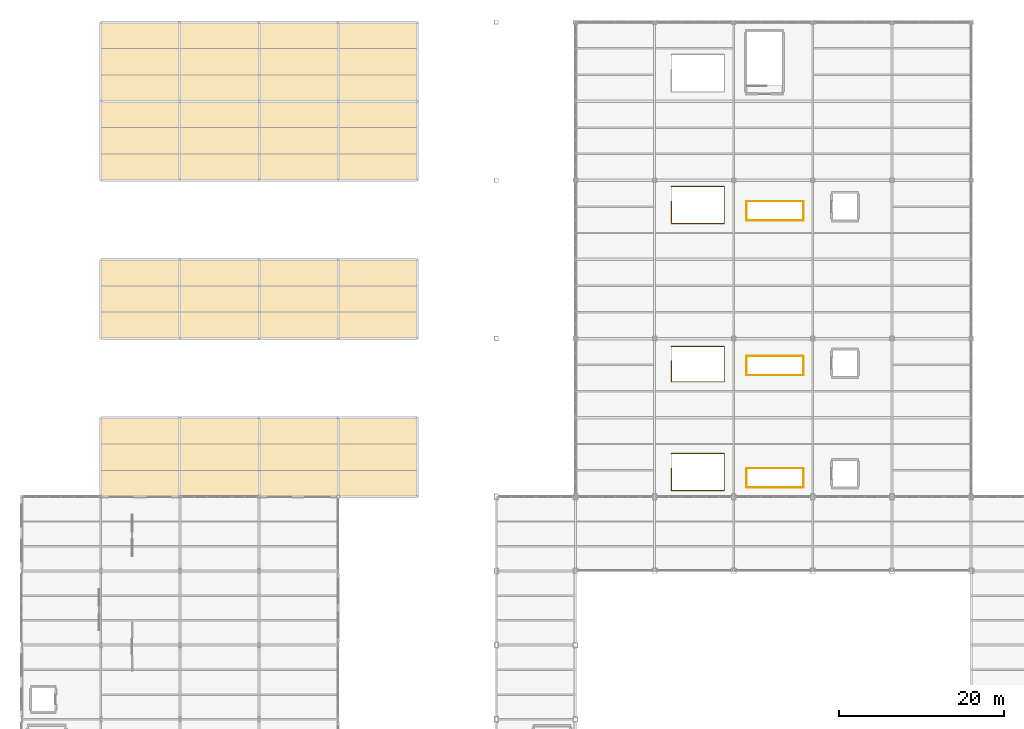
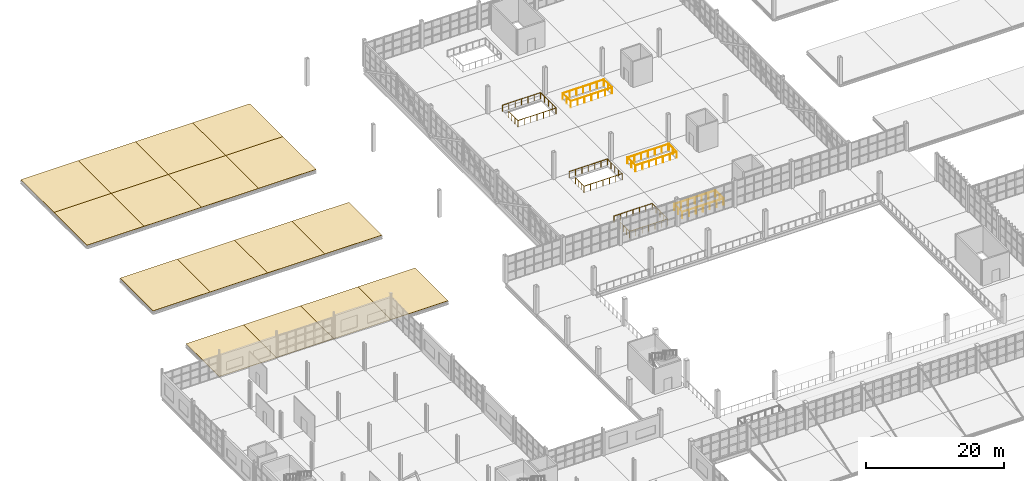
# One storey, part 119 of 120: 16 coverings, 9 railings, 1 element without a shape of its own.
"""IFC4 building model written with IfcOpenShell, lengths in metres."""

import ifcopenshell
import ifcopenshell.guid

model = None  # the IFC model being written
_history = None  # IfcOwnerHistory: only IFC2X3 demands one
_inside = {}  # id of a spatial element -> (the spatial element, [elements in it])
_under = {}  # id of a project, library or spatial element -> (it, [spatial elements below it])
_declared = {}  # id of a project -> (the project, [libraries it declares])
_typed = {}  # id of a type object -> (the type object, [elements of that type])
_made_of = {}  # id of a material, layer set ... -> (it, [elements and type objects made of it])


def new_model(schema):
    """Start an empty IFC model of exactly this schema.

    Asked for "IFC4X3", IfcOpenShell would pick the latest addendum, in which some entities
    have other attributes; the version numbers below select the first issue.
    IFC2X3 requires an IfcOwnerHistory on every rooted entity: one is made here for all.
    """
    global model, _history
    if schema == "IFC4X3":
        model = ifcopenshell.file(schema_version=(4, 3, 0, 0))
    else:
        model = ifcopenshell.file(schema=schema)
    _inside.clear()
    _under.clear()
    _declared.clear()
    _typed.clear()
    _made_of.clear()
    _history = None
    if model.schema == "IFC2X3":
        org = make("IfcOrganization", Name="unknown")
        user = make(
            "IfcPersonAndOrganization",
            ThePerson=make("IfcPerson", FamilyName="unknown"),
            TheOrganization=org,
        )
        app = make(
            "IfcApplication",
            ApplicationDeveloper=org,
            Version="unknown",
            ApplicationFullName="unknown",
            ApplicationIdentifier="unknown",
        )
        _history = make(
            "IfcOwnerHistory",
            OwningUser=user,
            OwningApplication=app,
            ChangeAction="ADDED",
            CreationDate=0,
        )
    return model


def make(cls, **values):
    """One entity of the class cls with the attributes given. An attribute that is None is left unset."""
    return model.create_entity(
        cls, **{name: value for name, value in values.items() if value is not None}
    )


def rooted(cls, **values):
    """An entity with a GlobalId (a new one), such as an element, a storey or a relation."""
    return make(cls, GlobalId=ifcopenshell.guid.new(), OwnerHistory=_history, **values)


def si_unit(unit_type, name, prefix=None):
    """IfcSIUnit, for example si_unit("LENGTHUNIT", "METRE", prefix="MILLI")."""
    return make("IfcSIUnit", UnitType=unit_type, Prefix=prefix, Name=name)


def assignment(units):
    """IfcUnitAssignment: the units of a project."""
    return None if units is None else make("IfcUnitAssignment", Units=units)


def point(xyz):
    """IfcCartesianPoint."""
    return None if xyz is None else make("IfcCartesianPoint", Coordinates=xyz)


def direction(xyz):
    """IfcDirection."""
    return None if xyz is None else make("IfcDirection", DirectionRatios=xyz)


def frame(location, z_axis=None, x_axis=None):
    """IfcAxis2Placement3D, a coordinate frame: its origin and axes. An axis left out is left unset."""
    return make(
        "IfcAxis2Placement3D",
        Location=point(location),
        Axis=direction(z_axis),
        RefDirection=direction(x_axis),
    )


def frame_2d(location, x_axis=None):
    """IfcAxis2Placement2D, a coordinate frame in the plane: its origin and x axis."""
    return make(
        "IfcAxis2Placement2D", Location=point(location), RefDirection=direction(x_axis)
    )


def origin():
    """The frame at (0, 0, 0) with its axes left unset."""
    return frame((0.0, 0.0, 0.0))


def origin_2d():
    """The frame at (0, 0) in the plane with its x axis left unset."""
    return frame_2d((0.0, 0.0))


def place(relative_to, where):
    """IfcLocalPlacement: puts the frame where relative to a parent placement (None: the world)."""
    return make(
        "IfcLocalPlacement", PlacementRelTo=relative_to, RelativePlacement=where
    )


def context(
    kind, dimensions, precision=None, world=None, true_north=None, identifier=None
):
    """IfcGeometricRepresentationContext, for example the 3D "Model" context."""
    return make(
        "IfcGeometricRepresentationContext",
        ContextIdentifier=identifier,
        ContextType=kind,
        CoordinateSpaceDimension=dimensions,
        Precision=precision,
        WorldCoordinateSystem=world,
        TrueNorth=true_north,
    )


def subcontext(parent, identifier, kind, view, scale=None):
    """IfcGeometricRepresentationSubContext, for example "Body" below "Model"."""
    return make(
        "IfcGeometricRepresentationSubContext",
        ContextIdentifier=identifier,
        ContextType=kind,
        ParentContext=parent,
        TargetScale=scale,
        TargetView=view,
    )


def project(units=None, contexts=None):
    """IfcProject with its units and contexts."""
    return rooted(
        "IfcProject",
        Name="project",
        RepresentationContexts=contexts,
        UnitsInContext=assignment(units),
    )


def spatial(cls, under=None, at=None, **own):
    """A site, building, storey or space (cls), placed at a placement, below another one or the project."""
    s = rooted(cls, ObjectPlacement=at, **own)
    if under is not None:
        _under.setdefault(under.id(), (under, []))[1].append(s)
    return s


def polyline(points):
    """IfcPolyline through the points."""
    return make("IfcPolyline", Points=[point(p) for p in points])


def profile(cls, at=None, kind="AREA", **sizes):
    """A parametric profile (cls). Its sizes go by their IFC names, for example OverallWidth=200.0."""
    return make(cls, ProfileType=kind, Position=at, **sizes)


def circle(**sizes):
    """IfcCircleProfileDef."""
    return profile("IfcCircleProfileDef", **sizes)


def outline(outer, holes=None, kind="AREA"):
    """IfcArbitraryClosedProfileDef: a profile drawn as a closed curve; with holes, ...WithVoids."""
    if holes is None:
        return make("IfcArbitraryClosedProfileDef", ProfileType=kind, OuterCurve=outer)
    return make(
        "IfcArbitraryProfileDefWithVoids",
        ProfileType=kind,
        OuterCurve=outer,
        InnerCurves=holes,
    )


def extrude(swept, where, along, depth):
    """IfcExtrudedAreaSolid: the profile swept, set in the frame where, extruded along a direction by depth."""
    return make(
        "IfcExtrudedAreaSolid",
        SweptArea=swept,
        Position=where,
        ExtrudedDirection=direction(along),
        Depth=depth,
    )


def shape(context_of_items, identifier, shape_type, items):
    """IfcShapeRepresentation: the items that make up one representation, for example the "Body"."""
    return make(
        "IfcShapeRepresentation",
        ContextOfItems=context_of_items,
        RepresentationIdentifier=identifier,
        RepresentationType=shape_type,
        Items=items,
    )


def material(Name=None, Category=None):
    """IfcMaterial."""
    return make("IfcMaterial", Name=Name, Category=Category)


def layer(
    of_material, thickness, ventilated=None, Name=None, Category=None, Priority=None
):
    """IfcMaterialLayer: one layer of a wall or slab, of a material (None: an air gap)."""
    return make(
        "IfcMaterialLayer",
        Material=of_material,
        LayerThickness=thickness,
        IsVentilated=ventilated,
        Name=Name,
        Category=Category,
        Priority=Priority,
    )


def layer_set(layers, Name=None):
    """IfcMaterialLayerSet."""
    return make("IfcMaterialLayerSet", MaterialLayers=layers, LayerSetName=Name)


def made_of(thing, what):
    """Note that an element or type object is made of a material, layer set ...; save() writes the relation."""
    if what is not None:
        _made_of.setdefault(what.id(), (what, []))[1].append(thing)
    return thing


def type_object(cls, material=None, **own):
    """A type object (cls), such as IfcWallType, which elements share."""
    return made_of(rooted(cls, **own), material)


def element(
    cls,
    number,
    at=None,
    inside=None,
    cuts=None,
    type_object=None,
    material=None,
    context=None,
    identifier="Body",
    shape_type=None,
    held_by="IfcProductDefinitionShape",
    body=None,
    shapes=None,
    **own,
):
    """One element of the class cls, such as IfcWall. Its Tag is "e" and its number.

    at: its placement. inside: the storey or other place that contains it. cuts: it is an
    opening in that element (IfcRelVoidsElement). A single representation is given by context,
    identifier, shape_type and body (its items); several are given by shapes. held_by: the class
    of the entity that holds the representations. save() writes the other relations.
    """
    e = rooted(cls, Tag="e%d" % number, ObjectPlacement=at, **own)
    if body is not None:
        shapes = [shape(context, identifier, shape_type, body)]
    if shapes is not None:
        e.Representation = make(held_by, Representations=shapes)
    if inside is not None:
        _inside.setdefault(inside.id(), (inside, []))[1].append(e)
    if cuts is not None:
        rooted(
            "IfcRelVoidsElement", RelatingBuildingElement=cuts, RelatedOpeningElement=e
        )
    if type_object is not None:
        _typed.setdefault(type_object.id(), (type_object, []))[1].append(e)
    return made_of(e, material)


def aggregate(whole, parts):
    """IfcRelAggregates: a whole, such as a stair, and the parts it consists of."""
    return rooted("IfcRelAggregates", RelatingObject=whole, RelatedObjects=parts)


def save(model, path):
    """Write the relations noted so far, then the file.

    IfcRelAggregates (storeys below a building ...), IfcRelContainedInSpatialStructure (elements
    in a storey), IfcRelDefinesByType, IfcRelAssociatesMaterial and IfcRelDeclares: one each for
    every whole, place, type object, material and project.
    """
    for whole, parts in _under.values():
        aggregate(whole, parts)
    for where, things in _inside.values():
        rooted(
            "IfcRelContainedInSpatialStructure",
            RelatedElements=things,
            RelatingStructure=where,
        )
    for kind, things in _typed.values():
        rooted("IfcRelDefinesByType", RelatedObjects=things, RelatingType=kind)
    for what, things in _made_of.values():
        rooted("IfcRelAssociatesMaterial", RelatedObjects=things, RelatingMaterial=what)
    for by, libraries in _declared.values():
        rooted("IfcRelDeclares", RelatingContext=by, RelatedDefinitions=libraries)
    model.write(path)


model = new_model("IFC4")

# Units and contexts
model_context = context("Model", 3, precision=1e-05, world=origin(), true_north=direction((0.0, 1.0)))
body_context = subcontext(model_context, "Body", "Model", "MODEL_VIEW")
ifc_project = project(units=[si_unit("LENGTHUNIT", "METRE"), si_unit("AREAUNIT", "SQUARE_METRE"), si_unit("VOLUMEUNIT", "CUBIC_METRE"), si_unit("PLANEANGLEUNIT", "RADIAN"), si_unit("MASSUNIT", "GRAM", prefix="KILO")], contexts=[model_context])

# Site, building, storey
site_placement = place(None, origin())
site = spatial("IfcSite", under=ifc_project, at=site_placement, CompositionType="ELEMENT")
building_placement = place(site_placement, origin())
building = spatial("IfcBuilding", under=site, at=building_placement, Name="Zarnetskaya Central Station", CompositionType="ELEMENT")
storey_placement = place(building_placement, frame((0.0, 0.0, 5.39990234375)))
storey = spatial("IfcBuildingStorey", under=building, at=storey_placement, Name="L01", CompositionType="ELEMENT", Elevation=5.39990234375)

# Roof, coverings
ifc_material_1 = material(Name="Concrete C30/37", Category="concrete")
roof_type = type_object("IfcRoofType", Name="RF-ASSY-FLAT", PredefinedType="FLAT_ROOF", material=ifc_material_1)
roof_placement = place(storey_placement, origin())
roof = element("IfcRoof", 1, at=roof_placement, inside=storey, type_object=roof_type, Name="Passenger platform flat canopies", PredefinedType="FLAT_ROOF")
ifc_material_2 = material(Name="Standing-seam zinc roof cladding")
ifc_layer = layer(ifc_material_2, 0.06494140625, Name="Standing-seam zinc roof cladding")
ifc_layer_set = layer_set([ifc_layer], Name="Standing-seam zinc roof cladding")
covering_type = type_object("IfcCoveringType", Name="COV-ZINC-ROOF", PredefinedType="ROOFING", material=ifc_layer_set)
covering_1_placement = place(storey_placement, origin())
covering_1 = element("IfcCovering", 2, at=covering_1_placement, type_object=covering_type, Name="Platform canopy standing-seam roofing 9-10 B-C", PredefinedType="ROOFING", context=body_context, shape_type="SweptSolid", body=[
    extrude(outline(polyline([(9.60009765625, 67.199951171875), (19.199951171875, 67.199951171875), (19.199951171875, 76.800048828125), (9.60009765625, 76.800048828125), (9.60009765625, 67.199951171875)])), origin(), (0.0, 0.0, 1.0), 0.065185546875),
])
covering_2_placement = place(storey_placement, origin())
covering_2 = element("IfcCovering", 3, at=covering_2_placement, type_object=covering_type, Name="Platform canopy standing-seam roofing 11-12 B-C", PredefinedType="ROOFING", context=body_context, shape_type="SweptSolid", body=[
    extrude(outline(polyline([(9.60009765625, 86.39990234375), (19.199951171875, 86.39990234375), (19.199951171875, 96.0), (9.60009765625, 96.0), (9.60009765625, 86.39990234375)])), origin(), (0.0, 0.0, 1.0), 0.065185546875),
])
covering_3_placement = place(storey_placement, origin())
covering_3 = element("IfcCovering", 4, at=covering_3_placement, type_object=covering_type, Name="Platform canopy standing-seam roofing 13-14 B-C", PredefinedType="ROOFING", context=body_context, shape_type="SweptSolid", body=[
    extrude(outline(polyline([(9.60009765625, 105.60009765625), (19.199951171875, 105.60009765625), (19.199951171875, 115.199951171875), (9.60009765625, 115.199951171875), (9.60009765625, 105.60009765625)])), origin(), (0.0, 0.0, 1.0), 0.065185546875),
])
covering_4_placement = place(storey_placement, origin())
covering_4 = element("IfcCovering", 5, at=covering_4_placement, type_object=covering_type, Name="Platform canopy standing-seam roofing 14-15 B-C", PredefinedType="ROOFING", context=body_context, shape_type="SweptSolid", body=[
    extrude(outline(polyline([(9.60009765625, 115.199951171875), (19.199951171875, 115.199951171875), (19.199951171875, 124.800048828125), (9.60009765625, 124.800048828125), (9.60009765625, 115.199951171875)])), origin(), (0.0, 0.0, 1.0), 0.065185546875),
])
covering_5_placement = place(storey_placement, origin())
covering_5 = element("IfcCovering", 6, at=covering_5_placement, type_object=covering_type, Name="Platform canopy standing-seam roofing 9-10 C-D", PredefinedType="ROOFING", context=body_context, shape_type="SweptSolid", body=[
    extrude(outline(polyline([(19.199951171875, 67.199951171875), (28.800048828125, 67.199951171875), (28.800048828125, 76.800048828125), (19.199951171875, 76.800048828125), (19.199951171875, 67.199951171875)])), origin(), (0.0, 0.0, 1.0), 0.065185546875),
])
covering_6_placement = place(storey_placement, origin())
covering_6 = element("IfcCovering", 7, at=covering_6_placement, type_object=covering_type, Name="Platform canopy standing-seam roofing 11-12 C-D", PredefinedType="ROOFING", context=body_context, shape_type="SweptSolid", body=[
    extrude(outline(polyline([(19.199951171875, 86.39990234375), (28.800048828125, 86.39990234375), (28.800048828125, 96.0), (19.199951171875, 96.0), (19.199951171875, 86.39990234375)])), origin(), (0.0, 0.0, 1.0), 0.065185546875),
])
covering_7_placement = place(storey_placement, origin())
covering_7 = element("IfcCovering", 8, at=covering_7_placement, type_object=covering_type, Name="Platform canopy standing-seam roofing 13-14 C-D", PredefinedType="ROOFING", context=body_context, shape_type="SweptSolid", body=[
    extrude(outline(polyline([(19.199951171875, 105.60009765625), (28.800048828125, 105.60009765625), (28.800048828125, 115.199951171875), (19.199951171875, 115.199951171875), (19.199951171875, 105.60009765625)])), origin(), (0.0, 0.0, 1.0), 0.065185546875),
])
covering_8_placement = place(storey_placement, origin())
covering_8 = element("IfcCovering", 9, at=covering_8_placement, type_object=covering_type, Name="Platform canopy standing-seam roofing 14-15 C-D", PredefinedType="ROOFING", context=body_context, shape_type="SweptSolid", body=[
    extrude(outline(polyline([(19.199951171875, 115.199951171875), (28.800048828125, 115.199951171875), (28.800048828125, 124.800048828125), (19.199951171875, 124.800048828125), (19.199951171875, 115.199951171875)])), origin(), (0.0, 0.0, 1.0), 0.065185546875),
])
covering_9_placement = place(storey_placement, origin())
covering_9 = element("IfcCovering", 10, at=covering_9_placement, type_object=covering_type, Name="Platform canopy standing-seam roofing 9-10 D-E", PredefinedType="ROOFING", context=body_context, shape_type="SweptSolid", body=[
    extrude(outline(polyline([(28.800048828125, 67.199951171875), (38.39990234375, 67.199951171875), (38.39990234375, 76.800048828125), (28.800048828125, 76.800048828125), (28.800048828125, 67.199951171875)])), origin(), (0.0, 0.0, 1.0), 0.065185546875),
])
covering_10_placement = place(storey_placement, origin())
covering_10 = element("IfcCovering", 11, at=covering_10_placement, type_object=covering_type, Name="Platform canopy standing-seam roofing 11-12 D-E", PredefinedType="ROOFING", context=body_context, shape_type="SweptSolid", body=[
    extrude(outline(polyline([(28.800048828125, 86.39990234375), (38.39990234375, 86.39990234375), (38.39990234375, 96.0), (28.800048828125, 96.0), (28.800048828125, 86.39990234375)])), origin(), (0.0, 0.0, 1.0), 0.065185546875),
])
covering_11_placement = place(storey_placement, origin())
covering_11 = element("IfcCovering", 12, at=covering_11_placement, type_object=covering_type, Name="Platform canopy standing-seam roofing 13-14 D-E", PredefinedType="ROOFING", context=body_context, shape_type="SweptSolid", body=[
    extrude(outline(polyline([(28.800048828125, 105.60009765625), (38.39990234375, 105.60009765625), (38.39990234375, 115.199951171875), (28.800048828125, 115.199951171875), (28.800048828125, 105.60009765625)])), origin(), (0.0, 0.0, 1.0), 0.065185546875),
])
covering_12_placement = place(storey_placement, origin())
covering_12 = element("IfcCovering", 13, at=covering_12_placement, type_object=covering_type, Name="Platform canopy standing-seam roofing 14-15 D-E", PredefinedType="ROOFING", context=body_context, shape_type="SweptSolid", body=[
    extrude(outline(polyline([(28.800048828125, 115.199951171875), (38.39990234375, 115.199951171875), (38.39990234375, 124.800048828125), (28.800048828125, 124.800048828125), (28.800048828125, 115.199951171875)])), origin(), (0.0, 0.0, 1.0), 0.065185546875),
])
covering_13_placement = place(storey_placement, origin())
covering_13 = element("IfcCovering", 14, at=covering_13_placement, type_object=covering_type, Name="Platform canopy standing-seam roofing 9-10 E-F", PredefinedType="ROOFING", context=body_context, shape_type="SweptSolid", body=[
    extrude(outline(polyline([(38.39990234375, 67.199951171875), (48.0, 67.199951171875), (48.0, 76.800048828125), (38.39990234375, 76.800048828125), (38.39990234375, 67.199951171875)])), origin(), (0.0, 0.0, 1.0), 0.065185546875),
])
covering_14_placement = place(storey_placement, origin())
covering_14 = element("IfcCovering", 15, at=covering_14_placement, type_object=covering_type, Name="Platform canopy standing-seam roofing 11-12 E-F", PredefinedType="ROOFING", context=body_context, shape_type="SweptSolid", body=[
    extrude(outline(polyline([(38.39990234375, 86.39990234375), (48.0, 86.39990234375), (48.0, 96.0), (38.39990234375, 96.0), (38.39990234375, 86.39990234375)])), origin(), (0.0, 0.0, 1.0), 0.065185546875),
])
covering_15_placement = place(storey_placement, origin())
covering_15 = element("IfcCovering", 16, at=covering_15_placement, type_object=covering_type, Name="Platform canopy standing-seam roofing 13-14 E-F", PredefinedType="ROOFING", context=body_context, shape_type="SweptSolid", body=[
    extrude(outline(polyline([(38.39990234375, 105.60009765625), (48.0, 105.60009765625), (48.0, 115.199951171875), (38.39990234375, 115.199951171875), (38.39990234375, 105.60009765625)])), origin(), (0.0, 0.0, 1.0), 0.065185546875),
])
covering_16_placement = place(storey_placement, origin())
covering_16 = element("IfcCovering", 17, at=covering_16_placement, type_object=covering_type, Name="Platform canopy standing-seam roofing 14-15 E-F", PredefinedType="ROOFING", context=body_context, shape_type="SweptSolid", body=[
    extrude(outline(polyline([(38.39990234375, 115.199951171875), (48.0, 115.199951171875), (48.0, 124.800048828125), (38.39990234375, 124.800048828125), (38.39990234375, 115.199951171875)])), origin(), (0.0, 0.0, 1.0), 0.065185546875),
])
aggregate(roof, [covering_1, covering_2, covering_3, covering_4, covering_5, covering_6, covering_7, covering_8, covering_9, covering_10, covering_11, covering_12, covering_13, covering_14, covering_15, covering_16])

# Railings
ifc_material_3 = material(Name="Anodised aluminium", Category="aluminium")
railing_type_1 = type_object("IfcRailingType", Name="RAIL-BAL-1150", PredefinedType="BALUSTRADE", material=ifc_material_3)
railing_1_placement = place(storey_placement, frame((87.93994140625, 68.340087890625, 0.0)))
element("IfcRailing", 18, at=railing_1_placement, inside=storey, type_object=railing_type_1, Name="Protective deck balustrade GRD-08", PredefinedType="BALUSTRADE", context=body_context, shape_type="SweptSolid", body=[
    extrude(circle(Radius=0.02392578125, at=origin_2d()), frame((0.0, 0.0, 1.1259765625), z_axis=(1.0, 0.0, 0.0), x_axis=(0.0, 1.0, 0.0)), (0.0, 0.0, 1.0), 6.920166015625),
    extrude(circle(Radius=0.02392578125, at=origin_2d()), frame((6.920166015625, 0.0, 1.1259765625), z_axis=(0.0, 1.0, 0.0), x_axis=(-1.0, 0.0, 0.0)), (0.0, 0.0, 1.0), 2.280029296875),
    extrude(circle(Radius=0.02099609375, at=origin_2d()), origin(), (0.0, 0.0, 1.0), 1.101806640625),
    extrude(circle(Radius=0.02099609375, at=origin_2d()), frame((1.1533203125, 0.0, 0.0)), (0.0, 0.0, 1.0), 1.101806640625),
    extrude(circle(Radius=0.02099609375, at=origin_2d()), frame((2.306640625, 0.0, 0.0)), (0.0, 0.0, 1.0), 1.101806640625),
    extrude(circle(Radius=0.02099609375, at=origin_2d()), frame((3.4599609375, 0.0, 0.0)), (0.0, 0.0, 1.0), 1.101806640625),
    extrude(circle(Radius=0.02099609375, at=origin_2d()), frame((4.613525390625, 0.0, 0.0)), (0.0, 0.0, 1.0), 1.101806640625),
    extrude(circle(Radius=0.02099609375, at=origin_2d()), frame((5.766845703125, 0.0, 0.0)), (0.0, 0.0, 1.0), 1.101806640625),
    extrude(circle(Radius=0.02099609375, at=origin_2d()), frame((6.920166015625, 0.0, 0.0)), (0.0, 0.0, 1.0), 1.101806640625),
    extrude(circle(Radius=0.02099609375, at=origin_2d()), frame((6.920166015625, 1.14013671875, 0.0)), (0.0, 0.0, 1.0), 1.101806640625),
    extrude(circle(Radius=0.02099609375, at=origin_2d()), frame((6.920166015625, 2.280029296875, 0.0)), (0.0, 0.0, 1.0), 1.101806640625),
])
railing_2_placement = place(storey_placement, frame((94.820068359375, 70.659912109375, 0.0)))
element("IfcRailing", 19, at=railing_2_placement, inside=storey, type_object=railing_type_1, Name="Protective deck balustrade GRD-09", PredefinedType="BALUSTRADE", context=body_context, shape_type="SweptSolid", body=[
    extrude(circle(Radius=0.02392578125, at=origin_2d()), frame((0.0, 0.0, 1.1259765625), z_axis=(-1.0, 0.0, 0.0), x_axis=(0.0, -1.0, 0.0)), (0.0, 0.0, 1.0), 6.880126953125),
    extrude(circle(Radius=0.02392578125, at=origin_2d()), frame((-6.880126953125, 0.0, 1.1259765625), z_axis=(0.0, -1.0, 0.0), x_axis=(1.0, 0.0, 0.0)), (0.0, 0.0, 1.0), 2.280029296875),
    extrude(circle(Radius=0.02099609375, at=origin_2d()), origin(), (0.0, 0.0, 1.0), 1.101806640625),
    extrude(circle(Radius=0.02099609375, at=origin_2d()), frame((-1.146728515625, 0.0, 0.0)), (0.0, 0.0, 1.0), 1.101806640625),
    extrude(circle(Radius=0.02099609375, at=origin_2d()), frame((-2.29345703125, 0.0, 0.0)), (0.0, 0.0, 1.0), 1.101806640625),
    extrude(circle(Radius=0.02099609375, at=origin_2d()), frame((-3.43994140625, 0.0, 0.0)), (0.0, 0.0, 1.0), 1.101806640625),
    extrude(circle(Radius=0.02099609375, at=origin_2d()), frame((-4.586669921875, 0.0, 0.0)), (0.0, 0.0, 1.0), 1.101806640625),
    extrude(circle(Radius=0.02099609375, at=origin_2d()), frame((-5.7333984375, 0.0, 0.0)), (0.0, 0.0, 1.0), 1.101806640625),
    extrude(circle(Radius=0.02099609375, at=origin_2d()), frame((-6.880126953125, 0.0, 0.0)), (0.0, 0.0, 1.0), 1.101806640625),
    extrude(circle(Radius=0.02099609375, at=origin_2d()), frame((-6.880126953125, -1.14013671875, 0.0)), (0.0, 0.0, 1.0), 1.101806640625),
    extrude(circle(Radius=0.02099609375, at=origin_2d()), frame((-6.880126953125, -2.280029296875, 0.0)), (0.0, 0.0, 1.0), 1.101806640625),
])
railing_3_placement = place(storey_placement, frame((87.93994140625, 81.93994140625, 0.0)))
element("IfcRailing", 20, at=railing_3_placement, inside=storey, type_object=railing_type_1, Name="Protective deck balustrade GRD-10", PredefinedType="BALUSTRADE", context=body_context, shape_type="SweptSolid", body=[
    extrude(circle(Radius=0.02392578125, at=origin_2d()), frame((0.0, 0.0, 1.1259765625), z_axis=(1.0, 0.0, 0.0), x_axis=(0.0, 1.0, 0.0)), (0.0, 0.0, 1.0), 6.920166015625),
    extrude(circle(Radius=0.02392578125, at=origin_2d()), frame((6.920166015625, 0.0, 1.1259765625), z_axis=(0.0, 1.0, 0.0), x_axis=(-1.0, 0.0, 0.0)), (0.0, 0.0, 1.0), 2.280029296875),
    extrude(circle(Radius=0.02099609375, at=origin_2d()), origin(), (0.0, 0.0, 1.0), 1.101806640625),
    extrude(circle(Radius=0.02099609375, at=origin_2d()), frame((1.1533203125, 0.0, 0.0)), (0.0, 0.0, 1.0), 1.101806640625),
    extrude(circle(Radius=0.02099609375, at=origin_2d()), frame((2.306640625, 0.0, 0.0)), (0.0, 0.0, 1.0), 1.101806640625),
    extrude(circle(Radius=0.02099609375, at=origin_2d()), frame((3.4599609375, 0.0, 0.0)), (0.0, 0.0, 1.0), 1.101806640625),
    extrude(circle(Radius=0.02099609375, at=origin_2d()), frame((4.613525390625, 0.0, 0.0)), (0.0, 0.0, 1.0), 1.101806640625),
    extrude(circle(Radius=0.02099609375, at=origin_2d()), frame((5.766845703125, 0.0, 0.0)), (0.0, 0.0, 1.0), 1.101806640625),
    extrude(circle(Radius=0.02099609375, at=origin_2d()), frame((6.920166015625, 0.0, 0.0)), (0.0, 0.0, 1.0), 1.101806640625),
    extrude(circle(Radius=0.02099609375, at=origin_2d()), frame((6.920166015625, 1.14013671875, 0.0)), (0.0, 0.0, 1.0), 1.101806640625),
    extrude(circle(Radius=0.02099609375, at=origin_2d()), frame((6.920166015625, 2.280029296875, 0.0)), (0.0, 0.0, 1.0), 1.101806640625),
])
railing_4_placement = place(storey_placement, frame((94.820068359375, 84.260009765625, 0.0)))
element("IfcRailing", 21, at=railing_4_placement, inside=storey, type_object=railing_type_1, Name="Protective deck balustrade GRD-11", PredefinedType="BALUSTRADE", context=body_context, shape_type="SweptSolid", body=[
    extrude(circle(Radius=0.02392578125, at=origin_2d()), frame((0.0, 0.0, 1.1259765625), z_axis=(-1.0, 0.0, 0.0), x_axis=(0.0, -1.0, 0.0)), (0.0, 0.0, 1.0), 6.880126953125),
    extrude(circle(Radius=0.02392578125, at=origin_2d()), frame((-6.880126953125, 0.0, 1.1259765625), z_axis=(0.0, -1.0, 0.0), x_axis=(1.0, 0.0, 0.0)), (0.0, 0.0, 1.0), 2.280029296875),
    extrude(circle(Radius=0.02099609375, at=origin_2d()), origin(), (0.0, 0.0, 1.0), 1.101806640625),
    extrude(circle(Radius=0.02099609375, at=origin_2d()), frame((-1.146728515625, 0.0, 0.0)), (0.0, 0.0, 1.0), 1.101806640625),
    extrude(circle(Radius=0.02099609375, at=origin_2d()), frame((-2.29345703125, 0.0, 0.0)), (0.0, 0.0, 1.0), 1.101806640625),
    extrude(circle(Radius=0.02099609375, at=origin_2d()), frame((-3.43994140625, 0.0, 0.0)), (0.0, 0.0, 1.0), 1.101806640625),
    extrude(circle(Radius=0.02099609375, at=origin_2d()), frame((-4.586669921875, 0.0, 0.0)), (0.0, 0.0, 1.0), 1.101806640625),
    extrude(circle(Radius=0.02099609375, at=origin_2d()), frame((-5.7333984375, 0.0, 0.0)), (0.0, 0.0, 1.0), 1.101806640625),
    extrude(circle(Radius=0.02099609375, at=origin_2d()), frame((-6.880126953125, 0.0, 0.0)), (0.0, 0.0, 1.0), 1.101806640625),
    extrude(circle(Radius=0.02099609375, at=origin_2d()), frame((-6.880126953125, -1.14013671875, 0.0)), (0.0, 0.0, 1.0), 1.101806640625),
    extrude(circle(Radius=0.02099609375, at=origin_2d()), frame((-6.880126953125, -2.280029296875, 0.0)), (0.0, 0.0, 1.0), 1.101806640625),
])
railing_5_placement = place(storey_placement, frame((87.93994140625, 100.739990234375, 0.0)))
element("IfcRailing", 22, at=railing_5_placement, inside=storey, type_object=railing_type_1, Name="Protective deck balustrade GRD-12", PredefinedType="BALUSTRADE", context=body_context, shape_type="SweptSolid", body=[
    extrude(circle(Radius=0.02392578125, at=origin_2d()), frame((0.0, 0.0, 1.1259765625), z_axis=(1.0, 0.0, 0.0), x_axis=(0.0, 1.0, 0.0)), (0.0, 0.0, 1.0), 6.920166015625),
    extrude(circle(Radius=0.02392578125, at=origin_2d()), frame((6.920166015625, 0.0, 1.1259765625), z_axis=(0.0, 1.0, 0.0), x_axis=(-1.0, 0.0, 0.0)), (0.0, 0.0, 1.0), 2.280029296875),
    extrude(circle(Radius=0.02099609375, at=origin_2d()), origin(), (0.0, 0.0, 1.0), 1.101806640625),
    extrude(circle(Radius=0.02099609375, at=origin_2d()), frame((1.1533203125, 0.0, 0.0)), (0.0, 0.0, 1.0), 1.101806640625),
    extrude(circle(Radius=0.02099609375, at=origin_2d()), frame((2.306640625, 0.0, 0.0)), (0.0, 0.0, 1.0), 1.101806640625),
    extrude(circle(Radius=0.02099609375, at=origin_2d()), frame((3.4599609375, 0.0, 0.0)), (0.0, 0.0, 1.0), 1.101806640625),
    extrude(circle(Radius=0.02099609375, at=origin_2d()), frame((4.613525390625, 0.0, 0.0)), (0.0, 0.0, 1.0), 1.101806640625),
    extrude(circle(Radius=0.02099609375, at=origin_2d()), frame((5.766845703125, 0.0, 0.0)), (0.0, 0.0, 1.0), 1.101806640625),
    extrude(circle(Radius=0.02099609375, at=origin_2d()), frame((6.920166015625, 0.0, 0.0)), (0.0, 0.0, 1.0), 1.101806640625),
    extrude(circle(Radius=0.02099609375, at=origin_2d()), frame((6.920166015625, 1.14013671875, 0.0)), (0.0, 0.0, 1.0), 1.101806640625),
    extrude(circle(Radius=0.02099609375, at=origin_2d()), frame((6.920166015625, 2.280029296875, 0.0)), (0.0, 0.0, 1.0), 1.101806640625),
])
railing_6_placement = place(storey_placement, frame((94.820068359375, 103.06005859375, 0.0)))
element("IfcRailing", 23, at=railing_6_placement, inside=storey, type_object=railing_type_1, Name="Protective deck balustrade GRD-13", PredefinedType="BALUSTRADE", context=body_context, shape_type="SweptSolid", body=[
    extrude(circle(Radius=0.02392578125, at=origin_2d()), frame((0.0, 0.0, 1.1259765625), z_axis=(-1.0, 0.0, 0.0), x_axis=(0.0, -1.0, 0.0)), (0.0, 0.0, 1.0), 6.880126953125),
    extrude(circle(Radius=0.02392578125, at=origin_2d()), frame((-6.880126953125, 0.0, 1.1259765625), z_axis=(0.0, -1.0, 0.0), x_axis=(1.0, 0.0, 0.0)), (0.0, 0.0, 1.0), 2.280029296875),
    extrude(circle(Radius=0.02099609375, at=origin_2d()), origin(), (0.0, 0.0, 1.0), 1.101806640625),
    extrude(circle(Radius=0.02099609375, at=origin_2d()), frame((-1.146728515625, 0.0, 0.0)), (0.0, 0.0, 1.0), 1.101806640625),
    extrude(circle(Radius=0.02099609375, at=origin_2d()), frame((-2.29345703125, 0.0, 0.0)), (0.0, 0.0, 1.0), 1.101806640625),
    extrude(circle(Radius=0.02099609375, at=origin_2d()), frame((-3.43994140625, 0.0, 0.0)), (0.0, 0.0, 1.0), 1.101806640625),
    extrude(circle(Radius=0.02099609375, at=origin_2d()), frame((-4.586669921875, 0.0, 0.0)), (0.0, 0.0, 1.0), 1.101806640625),
    extrude(circle(Radius=0.02099609375, at=origin_2d()), frame((-5.7333984375, 0.0, 0.0)), (0.0, 0.0, 1.0), 1.101806640625),
    extrude(circle(Radius=0.02099609375, at=origin_2d()), frame((-6.880126953125, 0.0, 0.0)), (0.0, 0.0, 1.0), 1.101806640625),
    extrude(circle(Radius=0.02099609375, at=origin_2d()), frame((-6.880126953125, -1.14013671875, 0.0)), (0.0, 0.0, 1.0), 1.101806640625),
    extrude(circle(Radius=0.02099609375, at=origin_2d()), frame((-6.880126953125, -2.280029296875, 0.0)), (0.0, 0.0, 1.0), 1.101806640625),
])
ifc_material_4 = material(Name="Steel S355", Category="steel")
railing_type_2 = type_object("IfcRailingType", Name="RAIL-STAIR-GRD", PredefinedType="BALUSTRADE", material=ifc_material_4)
railing_7_placement = place(storey_placement, frame((78.85009765625, 70.6201171875, 0.0)))
element("IfcRailing", 24, at=railing_7_placement, inside=storey, type_object=railing_type_2, Name="Platform stair ST-P1 bridge well balustrade", PredefinedType="BALUSTRADE", context=body_context, shape_type="SweptSolid", body=[
    extrude(circle(Radius=0.02392578125, at=origin_2d()), frame((0.0, 0.0, 1.09619140625), z_axis=(0.0, -1.0, 0.0), x_axis=(1.0, 0.0, 0.0)), (0.0, 0.0, 1.0), 2.670166015625),
    extrude(circle(Radius=0.02392578125, at=origin_2d()), frame((0.0, -2.670166015625, 1.09619140625), z_axis=(1.0, 0.0, 0.0), x_axis=(0.0, 1.0, 0.0)), (0.0, 0.0, 1.0), 6.39990234375),
    extrude(circle(Radius=0.02392578125, at=origin_2d()), frame((6.39990234375, -2.670166015625, 1.09619140625), z_axis=(0.0, 1.0, 0.0), x_axis=(-1.0, 0.0, 0.0)), (0.0, 0.0, 1.0), 4.5),
    extrude(circle(Radius=0.02392578125, at=origin_2d()), frame((6.39990234375, 1.829833984375, 1.09619140625), z_axis=(-1.0, 0.0, 0.0), x_axis=(0.0, -1.0, 0.0)), (0.0, 0.0, 1.0), 6.39990234375),
    extrude(circle(Radius=0.02099609375, at=origin_2d()), origin(), (0.0, 0.0, 1.0), 1.072021484375),
    extrude(circle(Radius=0.02099609375, at=origin_2d()), frame((0.0, -0.89013671875, 0.0)), (0.0, 0.0, 1.0), 1.072021484375),
    extrude(circle(Radius=0.02099609375, at=origin_2d()), frame((0.0, -1.780029296875, 0.0)), (0.0, 0.0, 1.0), 1.072021484375),
    extrude(circle(Radius=0.02099609375, at=origin_2d()), frame((0.0, -2.670166015625, 0.0)), (0.0, 0.0, 1.0), 1.072021484375),
    extrude(circle(Radius=0.02099609375, at=origin_2d()), frame((1.066650390625, -2.670166015625, 0.0)), (0.0, 0.0, 1.0), 1.072021484375),
    extrude(circle(Radius=0.02099609375, at=origin_2d()), frame((2.13330078125, -2.670166015625, 0.0)), (0.0, 0.0, 1.0), 1.072021484375),
    extrude(circle(Radius=0.02099609375, at=origin_2d()), frame((3.199951171875, -2.670166015625, 0.0)), (0.0, 0.0, 1.0), 1.072021484375),
    extrude(circle(Radius=0.02099609375, at=origin_2d()), frame((4.2666015625, -2.670166015625, 0.0)), (0.0, 0.0, 1.0), 1.072021484375),
    extrude(circle(Radius=0.02099609375, at=origin_2d()), frame((5.333251953125, -2.670166015625, 0.0)), (0.0, 0.0, 1.0), 1.072021484375),
    extrude(circle(Radius=0.02099609375, at=origin_2d()), frame((6.39990234375, -2.670166015625, 0.0)), (0.0, 0.0, 1.0), 1.072021484375),
    extrude(circle(Radius=0.02099609375, at=origin_2d()), frame((6.39990234375, -1.545166015625, 0.0)), (0.0, 0.0, 1.0), 1.072021484375),
    extrude(circle(Radius=0.02099609375, at=origin_2d()), frame((6.39990234375, -0.420166015625, 0.0)), (0.0, 0.0, 1.0), 1.072021484375),
    extrude(circle(Radius=0.02099609375, at=origin_2d()), frame((6.39990234375, 0.704833984375, 0.0)), (0.0, 0.0, 1.0), 1.072021484375),
    extrude(circle(Radius=0.02099609375, at=origin_2d()), frame((6.39990234375, 1.829833984375, 0.0)), (0.0, 0.0, 1.0), 1.072021484375),
    extrude(circle(Radius=0.02099609375, at=origin_2d()), frame((5.333251953125, 1.829833984375, 0.0)), (0.0, 0.0, 1.0), 1.072021484375),
    extrude(circle(Radius=0.02099609375, at=origin_2d()), frame((4.2666015625, 1.829833984375, 0.0)), (0.0, 0.0, 1.0), 1.072021484375),
    extrude(circle(Radius=0.02099609375, at=origin_2d()), frame((3.199951171875, 1.829833984375, 0.0)), (0.0, 0.0, 1.0), 1.072021484375),
    extrude(circle(Radius=0.02099609375, at=origin_2d()), frame((2.13330078125, 1.829833984375, 0.0)), (0.0, 0.0, 1.0), 1.072021484375),
    extrude(circle(Radius=0.02099609375, at=origin_2d()), frame((1.066650390625, 1.829833984375, 0.0)), (0.0, 0.0, 1.0), 1.072021484375),
    extrude(circle(Radius=0.02099609375, at=origin_2d()), frame((0.0, 1.829833984375, 0.0)), (0.0, 0.0, 1.0), 1.072021484375),
])
railing_8_placement = place(storey_placement, frame((78.85009765625, 83.659912109375, 0.0)))
element("IfcRailing", 25, at=railing_8_placement, inside=storey, type_object=railing_type_2, Name="Platform stair ST-P2 bridge well balustrade", PredefinedType="BALUSTRADE", context=body_context, shape_type="SweptSolid", body=[
    extrude(circle(Radius=0.02392578125, at=origin_2d()), frame((0.0, 0.0, 1.09619140625), z_axis=(0.0, -1.0, 0.0), x_axis=(1.0, 0.0, 0.0)), (0.0, 0.0, 1.0), 2.510009765625),
    extrude(circle(Radius=0.02392578125, at=origin_2d()), frame((0.0, -2.510009765625, 1.09619140625), z_axis=(1.0, 0.0, 0.0), x_axis=(0.0, 1.0, 0.0)), (0.0, 0.0, 1.0), 6.39990234375),
    extrude(circle(Radius=0.02392578125, at=origin_2d()), frame((6.39990234375, -2.510009765625, 1.09619140625), z_axis=(0.0, 1.0, 0.0), x_axis=(-1.0, 0.0, 0.0)), (0.0, 0.0, 1.0), 4.300048828125),
    extrude(circle(Radius=0.02392578125, at=origin_2d()), frame((6.39990234375, 1.7900390625, 1.09619140625), z_axis=(-1.0, 0.0, 0.0), x_axis=(0.0, -1.0, 0.0)), (0.0, 0.0, 1.0), 6.39990234375),
    extrude(circle(Radius=0.02099609375, at=origin_2d()), origin(), (0.0, 0.0, 1.0), 1.072021484375),
    extrude(circle(Radius=0.02099609375, at=origin_2d()), frame((0.0, -0.836669921875, 0.0)), (0.0, 0.0, 1.0), 1.072021484375),
    extrude(circle(Radius=0.02099609375, at=origin_2d()), frame((0.0, -1.67333984375, 0.0)), (0.0, 0.0, 1.0), 1.072021484375),
    extrude(circle(Radius=0.02099609375, at=origin_2d()), frame((0.0, -2.510009765625, 0.0)), (0.0, 0.0, 1.0), 1.072021484375),
    extrude(circle(Radius=0.02099609375, at=origin_2d()), frame((1.066650390625, -2.510009765625, 0.0)), (0.0, 0.0, 1.0), 1.072021484375),
    extrude(circle(Radius=0.02099609375, at=origin_2d()), frame((2.13330078125, -2.510009765625, 0.0)), (0.0, 0.0, 1.0), 1.072021484375),
    extrude(circle(Radius=0.02099609375, at=origin_2d()), frame((3.199951171875, -2.510009765625, 0.0)), (0.0, 0.0, 1.0), 1.072021484375),
    extrude(circle(Radius=0.02099609375, at=origin_2d()), frame((4.2666015625, -2.510009765625, 0.0)), (0.0, 0.0, 1.0), 1.072021484375),
    extrude(circle(Radius=0.02099609375, at=origin_2d()), frame((5.333251953125, -2.510009765625, 0.0)), (0.0, 0.0, 1.0), 1.072021484375),
    extrude(circle(Radius=0.02099609375, at=origin_2d()), frame((6.39990234375, -2.510009765625, 0.0)), (0.0, 0.0, 1.0), 1.072021484375),
    extrude(circle(Radius=0.02099609375, at=origin_2d()), frame((6.39990234375, -1.43505859375, 0.0)), (0.0, 0.0, 1.0), 1.072021484375),
    extrude(circle(Radius=0.02099609375, at=origin_2d()), frame((6.39990234375, -0.35986328125, 0.0)), (0.0, 0.0, 1.0), 1.072021484375),
    extrude(circle(Radius=0.02099609375, at=origin_2d()), frame((6.39990234375, 0.715087890625, 0.0)), (0.0, 0.0, 1.0), 1.072021484375),
    extrude(circle(Radius=0.02099609375, at=origin_2d()), frame((6.39990234375, 1.7900390625, 0.0)), (0.0, 0.0, 1.0), 1.072021484375),
    extrude(circle(Radius=0.02099609375, at=origin_2d()), frame((5.333251953125, 1.7900390625, 0.0)), (0.0, 0.0, 1.0), 1.072021484375),
    extrude(circle(Radius=0.02099609375, at=origin_2d()), frame((4.2666015625, 1.7900390625, 0.0)), (0.0, 0.0, 1.0), 1.072021484375),
    extrude(circle(Radius=0.02099609375, at=origin_2d()), frame((3.199951171875, 1.7900390625, 0.0)), (0.0, 0.0, 1.0), 1.072021484375),
    extrude(circle(Radius=0.02099609375, at=origin_2d()), frame((2.13330078125, 1.7900390625, 0.0)), (0.0, 0.0, 1.0), 1.072021484375),
    extrude(circle(Radius=0.02099609375, at=origin_2d()), frame((1.066650390625, 1.7900390625, 0.0)), (0.0, 0.0, 1.0), 1.072021484375),
    extrude(circle(Radius=0.02099609375, at=origin_2d()), frame((0.0, 1.7900390625, 0.0)), (0.0, 0.0, 1.0), 1.072021484375),
])
railing_9_placement = place(storey_placement, frame((78.85009765625, 103.02001953125, 0.0)))
element("IfcRailing", 26, at=railing_9_placement, inside=storey, type_object=railing_type_2, Name="Platform stair ST-P3 bridge well balustrade", PredefinedType="BALUSTRADE", context=body_context, shape_type="SweptSolid", body=[
    extrude(circle(Radius=0.02392578125, at=origin_2d()), frame((0.0, 0.0, 1.09619140625), z_axis=(0.0, -1.0, 0.0), x_axis=(1.0, 0.0, 0.0)), (0.0, 0.0, 1.0), 2.669921875),
    extrude(circle(Radius=0.02392578125, at=origin_2d()), frame((0.0, -2.669921875, 1.09619140625), z_axis=(1.0, 0.0, 0.0), x_axis=(0.0, 1.0, 0.0)), (0.0, 0.0, 1.0), 6.39990234375),
    extrude(circle(Radius=0.02392578125, at=origin_2d()), frame((6.39990234375, -2.669921875, 1.09619140625), z_axis=(0.0, 1.0, 0.0), x_axis=(-1.0, 0.0, 0.0)), (0.0, 0.0, 1.0), 4.5),
    extrude(circle(Radius=0.02392578125, at=origin_2d()), frame((6.39990234375, 1.830078125, 1.09619140625), z_axis=(-1.0, 0.0, 0.0), x_axis=(0.0, -1.0, 0.0)), (0.0, 0.0, 1.0), 6.39990234375),
    extrude(circle(Radius=0.02099609375, at=origin_2d()), origin(), (0.0, 0.0, 1.0), 1.072021484375),
    extrude(circle(Radius=0.02099609375, at=origin_2d()), frame((0.0, -0.889892578125, 0.0)), (0.0, 0.0, 1.0), 1.072021484375),
    extrude(circle(Radius=0.02099609375, at=origin_2d()), frame((0.0, -1.780029296875, 0.0)), (0.0, 0.0, 1.0), 1.072021484375),
    extrude(circle(Radius=0.02099609375, at=origin_2d()), frame((0.0, -2.669921875, 0.0)), (0.0, 0.0, 1.0), 1.072021484375),
    extrude(circle(Radius=0.02099609375, at=origin_2d()), frame((1.066650390625, -2.669921875, 0.0)), (0.0, 0.0, 1.0), 1.072021484375),
    extrude(circle(Radius=0.02099609375, at=origin_2d()), frame((2.13330078125, -2.669921875, 0.0)), (0.0, 0.0, 1.0), 1.072021484375),
    extrude(circle(Radius=0.02099609375, at=origin_2d()), frame((3.199951171875, -2.669921875, 0.0)), (0.0, 0.0, 1.0), 1.072021484375),
    extrude(circle(Radius=0.02099609375, at=origin_2d()), frame((4.2666015625, -2.669921875, 0.0)), (0.0, 0.0, 1.0), 1.072021484375),
    extrude(circle(Radius=0.02099609375, at=origin_2d()), frame((5.333251953125, -2.669921875, 0.0)), (0.0, 0.0, 1.0), 1.072021484375),
    extrude(circle(Radius=0.02099609375, at=origin_2d()), frame((6.39990234375, -2.669921875, 0.0)), (0.0, 0.0, 1.0), 1.072021484375),
    extrude(circle(Radius=0.02099609375, at=origin_2d()), frame((6.39990234375, -1.544921875, 0.0)), (0.0, 0.0, 1.0), 1.072021484375),
    extrude(circle(Radius=0.02099609375, at=origin_2d()), frame((6.39990234375, -0.419921875, 0.0)), (0.0, 0.0, 1.0), 1.072021484375),
    extrude(circle(Radius=0.02099609375, at=origin_2d()), frame((6.39990234375, 0.705078125, 0.0)), (0.0, 0.0, 1.0), 1.072021484375),
    extrude(circle(Radius=0.02099609375, at=origin_2d()), frame((6.39990234375, 1.830078125, 0.0)), (0.0, 0.0, 1.0), 1.072021484375),
    extrude(circle(Radius=0.02099609375, at=origin_2d()), frame((5.333251953125, 1.830078125, 0.0)), (0.0, 0.0, 1.0), 1.072021484375),
    extrude(circle(Radius=0.02099609375, at=origin_2d()), frame((4.2666015625, 1.830078125, 0.0)), (0.0, 0.0, 1.0), 1.072021484375),
    extrude(circle(Radius=0.02099609375, at=origin_2d()), frame((3.199951171875, 1.830078125, 0.0)), (0.0, 0.0, 1.0), 1.072021484375),
    extrude(circle(Radius=0.02099609375, at=origin_2d()), frame((2.13330078125, 1.830078125, 0.0)), (0.0, 0.0, 1.0), 1.072021484375),
    extrude(circle(Radius=0.02099609375, at=origin_2d()), frame((1.066650390625, 1.830078125, 0.0)), (0.0, 0.0, 1.0), 1.072021484375),
    extrude(circle(Radius=0.02099609375, at=origin_2d()), frame((0.0, 1.830078125, 0.0)), (0.0, 0.0, 1.0), 1.072021484375),
])

save(model, "model.ifc")
